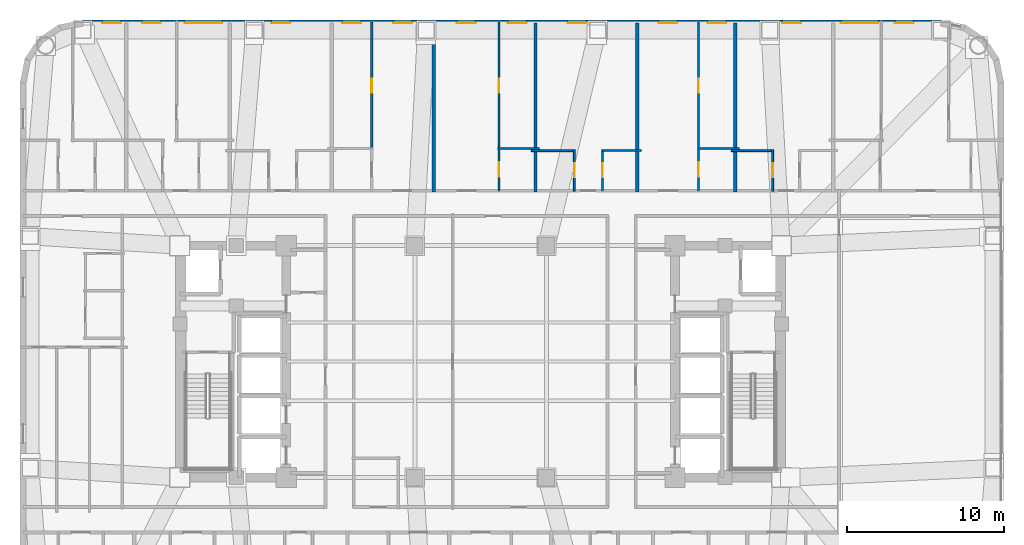
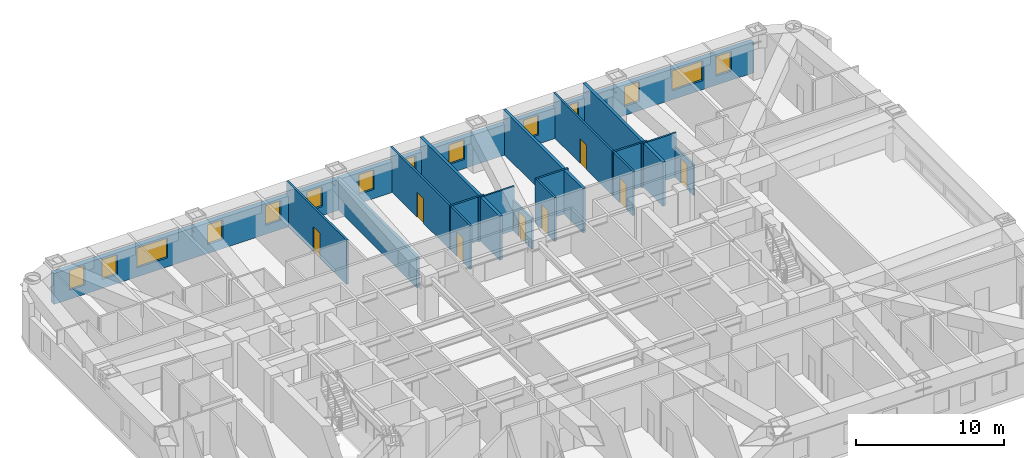
# One storey, part 13 of 16: 18 walls, 14 windows, 8 doors, 22 openings.
"""IFC4 building model written with IfcOpenShell, lengths in metres."""

from ifc_helpers import new_model, si_unit, direction, frame, frame_2d, origin, place, context, subcontext, project, spatial, rectangle, extrude, material, layer, layer_set, type_object, element, fill, save


model = new_model("IFC4")

# Units and contexts
model_context = context("Model", 3, precision=1e-05, world=origin(), true_north=direction((0.0, 1.0)))
body_context = subcontext(model_context, "Body", "Model", "MODEL_VIEW")
ifc_project = project(units=[si_unit("LENGTHUNIT", "METRE"), si_unit("AREAUNIT", "SQUARE_METRE"), si_unit("VOLUMEUNIT", "CUBIC_METRE"), si_unit("PLANEANGLEUNIT", "RADIAN"), si_unit("MASSUNIT", "GRAM", prefix="KILO")], contexts=[model_context])

# Site, building, storey
site_placement = place(None, origin())
site = spatial("IfcSite", under=ifc_project, at=site_placement, CompositionType="ELEMENT")
building_placement = place(site_placement, origin())
building = spatial("IfcBuilding", under=site, at=building_placement, Name="Voryun Gate Residences", CompositionType="ELEMENT")
storey_placement = place(building_placement, frame((0.0, 0.0, 89.699951171875)))
storey = spatial("IfcBuildingStorey", under=building, at=storey_placement, Name="L21", CompositionType="ELEMENT", Elevation=89.699951171875)

# Wall, openings, windows
ifc_material_1 = material(Name="Granite masonry", Category="masonry")
ifc_layer_1 = layer(ifc_material_1, 0.3798828125, Name="W_EXT_GRANITE_380")
ifc_layer_set_1 = layer_set([ifc_layer_1], Name="Granite masonry")
wall_type_1 = type_object("IfcWallType", Name="W_EXT_GRANITE_380", PredefinedType="ELEMENTEDWALL", material=ifc_layer_set_1)
wall_1_placement = place(storey_placement, frame((-25.38134765625, 21.610107421875, 0.0), z_axis=(0.0, 0.0, 1.0), x_axis=(1.0, 0.0, 0.0)))
wall_1 = element("IfcWall", 1, at=wall_1_placement, inside=storey, type_object=wall_type_1, Name="Exterior wall WEXT-L21-11", PredefinedType="ELEMENTEDWALL", context=body_context, shape_type="SweptSolid", body=[
    extrude(rectangle(XDim=54.7626953125, YDim=0.3798828125, at=frame_2d((27.38134765625, 0.0))), origin(), (0.0, 0.0, 1.0), 2.5400390625),
])
opening_1_placement = place(wall_1_placement, frame((6.495361328125, 0.0, 0.75)))
opening_1 = element("IfcOpeningElement", 2, at=opening_1_placement, cuts=wall_1, Name="Opening WN2", PredefinedType="OPENING", context=body_context, shape_type="SweptSolid", body=[
    extrude(rectangle(XDim=2.39990234375, YDim=1.6298828125, at=frame_2d((1.199951171875, 0.81494140625))), frame((0.0, 0.199951171875, 0.0), z_axis=(0.0, -1.0, 0.0), x_axis=(1.0, 0.0, 0.0)), (0.0, 0.0, 1.0), 0.39990234375),
])
opening_2_placement = place(wall_1_placement, frame((48.3671875, 0.0, 0.75)))
opening_2 = element("IfcOpeningElement", 3, at=opening_2_placement, cuts=wall_1, Name="Opening WN2", PredefinedType="OPENING", context=body_context, shape_type="SweptSolid", body=[
    extrude(rectangle(XDim=2.39990234375, YDim=1.6298828125, at=frame_2d((1.199951171875, 0.81494140625))), frame((0.0, 0.199951171875, 0.0), z_axis=(0.0, -1.0, 0.0), x_axis=(1.0, 0.0, 0.0)), (0.0, 0.0, 1.0), 0.39990234375),
])
opening_3_placement = place(wall_1_placement, frame((1.231201171875, 0.0, 0.75)))
opening_3 = element("IfcOpeningElement", 4, at=opening_3_placement, cuts=wall_1, Name="Opening WN6", PredefinedType="OPENING", context=body_context, shape_type="SweptSolid", body=[
    extrude(rectangle(XDim=1.199951171875, YDim=1.6298828125, at=frame_2d((0.60009765625, 0.81494140625))), frame((0.0, 0.199951171875, 0.0), z_axis=(0.0, -1.0, 0.0), x_axis=(1.0, 0.0, 0.0)), (0.0, 0.0, 1.0), 0.39990234375),
])
opening_4_placement = place(wall_1_placement, frame((3.771728515625, 0.0, 0.75)))
opening_4 = element("IfcOpeningElement", 5, at=opening_4_placement, cuts=wall_1, Name="Opening WN6", PredefinedType="OPENING", context=body_context, shape_type="SweptSolid", body=[
    extrude(rectangle(XDim=1.199951171875, YDim=1.6298828125, at=frame_2d((0.60009765625, 0.81494140625))), frame((0.0, 0.199951171875, 0.0), z_axis=(0.0, -1.0, 0.0), x_axis=(1.0, 0.0, 0.0)), (0.0, 0.0, 1.0), 0.39990234375),
])
opening_5_placement = place(wall_1_placement, frame((12.03125, 0.0, 0.75)))
opening_5 = element("IfcOpeningElement", 6, at=opening_5_placement, cuts=wall_1, Name="Opening WN6", PredefinedType="OPENING", context=body_context, shape_type="SweptSolid", body=[
    extrude(rectangle(XDim=1.199951171875, YDim=1.6298828125, at=frame_2d((0.60009765625, 0.81494140625))), frame((0.0, 0.199951171875, 0.0), z_axis=(0.0, -1.0, 0.0), x_axis=(1.0, 0.0, 0.0)), (0.0, 0.0, 1.0), 0.39990234375),
])
opening_6_placement = place(wall_1_placement, frame((19.805419921875, 0.0, 0.75)))
opening_6 = element("IfcOpeningElement", 7, at=opening_6_placement, cuts=wall_1, Name="Opening WN6", PredefinedType="OPENING", context=body_context, shape_type="SweptSolid", body=[
    extrude(rectangle(XDim=1.199951171875, YDim=1.6298828125, at=frame_2d((0.60009765625, 0.81494140625))), frame((0.0, 0.199951171875, 0.0), z_axis=(0.0, -1.0, 0.0), x_axis=(1.0, 0.0, 0.0)), (0.0, 0.0, 1.0), 0.39990234375),
])
opening_7_placement = place(wall_1_placement, frame((16.555419921875, 0.0, 0.75)))
opening_7 = element("IfcOpeningElement", 8, at=opening_7_placement, cuts=wall_1, Name="Opening WN6", PredefinedType="OPENING", context=body_context, shape_type="SweptSolid", body=[
    extrude(rectangle(XDim=1.199951171875, YDim=1.6298828125, at=frame_2d((0.60009765625, 0.81494140625))), frame((0.0, 0.199951171875, 0.0), z_axis=(0.0, -1.0, 0.0), x_axis=(1.0, 0.0, 0.0)), (0.0, 0.0, 1.0), 0.39990234375),
])
opening_8_placement = place(wall_1_placement, frame((23.86572265625, 0.0, 0.75)))
opening_8 = element("IfcOpeningElement", 9, at=opening_8_placement, cuts=wall_1, Name="Opening WN6", PredefinedType="OPENING", context=body_context, shape_type="SweptSolid", body=[
    extrude(rectangle(XDim=1.199951171875, YDim=1.6298828125, at=frame_2d((0.60009765625, 0.81494140625))), frame((0.0, 0.199951171875, 0.0), z_axis=(0.0, -1.0, 0.0), x_axis=(1.0, 0.0, 0.0)), (0.0, 0.0, 1.0), 0.39990234375),
])
opening_9_placement = place(wall_1_placement, frame((27.11572265625, 0.0, 0.75)))
opening_9 = element("IfcOpeningElement", 10, at=opening_9_placement, cuts=wall_1, Name="Opening WN6", PredefinedType="OPENING", context=body_context, shape_type="SweptSolid", body=[
    extrude(rectangle(XDim=1.199951171875, YDim=1.6298828125, at=frame_2d((0.60009765625, 0.81494140625))), frame((0.0, 0.199951171875, 0.0), z_axis=(0.0, -1.0, 0.0), x_axis=(1.0, 0.0, 0.0)), (0.0, 0.0, 1.0), 0.39990234375),
])
opening_10_placement = place(wall_1_placement, frame((30.931396484375, 0.0, 0.75)))
opening_10 = element("IfcOpeningElement", 11, at=opening_10_placement, cuts=wall_1, Name="Opening WN6", PredefinedType="OPENING", context=body_context, shape_type="SweptSolid", body=[
    extrude(rectangle(XDim=1.199951171875, YDim=1.6298828125, at=frame_2d((0.60009765625, 0.81494140625))), frame((0.0, 0.199951171875, 0.0), z_axis=(0.0, -1.0, 0.0), x_axis=(1.0, 0.0, 0.0)), (0.0, 0.0, 1.0), 0.39990234375),
])
opening_11_placement = place(wall_1_placement, frame((36.7333984375, 0.0, 0.75)))
opening_11 = element("IfcOpeningElement", 12, at=opening_11_placement, cuts=wall_1, Name="Opening WN6", PredefinedType="OPENING", context=body_context, shape_type="SweptSolid", body=[
    extrude(rectangle(XDim=1.199951171875, YDim=1.6298828125, at=frame_2d((0.60009765625, 0.81494140625))), frame((0.0, 0.199951171875, 0.0), z_axis=(0.0, -1.0, 0.0), x_axis=(1.0, 0.0, 0.0)), (0.0, 0.0, 1.0), 0.39990234375),
])
opening_12_placement = place(wall_1_placement, frame((39.8583984375, 0.0, 0.75)))
opening_12 = element("IfcOpeningElement", 13, at=opening_12_placement, cuts=wall_1, Name="Opening WN6", PredefinedType="OPENING", context=body_context, shape_type="SweptSolid", body=[
    extrude(rectangle(XDim=1.199951171875, YDim=1.6298828125, at=frame_2d((0.60009765625, 0.81494140625))), frame((0.0, 0.199951171875, 0.0), z_axis=(0.0, -1.0, 0.0), x_axis=(1.0, 0.0, 0.0)), (0.0, 0.0, 1.0), 0.39990234375),
])
opening_13_placement = place(wall_1_placement, frame((44.63623046875, 0.0, 0.75)))
opening_13 = element("IfcOpeningElement", 14, at=opening_13_placement, cuts=wall_1, Name="Opening WN6", PredefinedType="OPENING", context=body_context, shape_type="SweptSolid", body=[
    extrude(rectangle(XDim=1.199951171875, YDim=1.6298828125, at=frame_2d((0.60009765625, 0.81494140625))), frame((0.0, 0.199951171875, 0.0), z_axis=(0.0, -1.0, 0.0), x_axis=(1.0, 0.0, 0.0)), (0.0, 0.0, 1.0), 0.39990234375),
])
opening_14_placement = place(wall_1_placement, frame((51.809326171875, 0.0, 0.75)))
opening_14 = element("IfcOpeningElement", 15, at=opening_14_placement, cuts=wall_1, Name="Opening WN6", PredefinedType="OPENING", context=body_context, shape_type="SweptSolid", body=[
    extrude(rectangle(XDim=1.199951171875, YDim=1.6298828125, at=frame_2d((0.60009765625, 0.81494140625))), frame((0.0, 0.199951171875, 0.0), z_axis=(0.0, -1.0, 0.0), x_axis=(1.0, 0.0, 0.0)), (0.0, 0.0, 1.0), 0.39990234375),
])
ifc_material_2 = material(Name="Laminated low-E glass", Category="glass")
window_type_1 = type_object("IfcWindowType", Name="WN_POD_SLOT_1200", PartitioningType="SINGLE_PANEL", PredefinedType="WINDOW", material=ifc_material_2)
window_1_placement = place(opening_3_placement, origin())
window_1 = element("IfcWindow", 16, at=window_1_placement, inside=storey, type_object=window_type_1, Name="Window WN-L21-DWFIX-02", OverallHeight=1.6298828125, OverallWidth=1.199951171875, PartitioningType="SINGLE_PANEL", PredefinedType="WINDOW", context=body_context, shape_type="SweptSolid", body=[
    extrude(rectangle(XDim=1.199951171875, YDim=1.6298828125, at=frame_2d((0.60009765625, 0.81494140625))), frame((0.0, 0.030029296875, 0.0), z_axis=(0.0, -1.0, 0.0), x_axis=(1.0, 0.0, 0.0)), (0.0, 0.0, 1.0), 0.06005859375),
])
fill(opening_3, window_1)
window_2_placement = place(opening_4_placement, origin())
window_2 = element("IfcWindow", 17, at=window_2_placement, inside=storey, type_object=window_type_1, Name="Window WN-L21-DWFIX-03", OverallHeight=1.6298828125, OverallWidth=1.199951171875, PartitioningType="SINGLE_PANEL", PredefinedType="WINDOW", context=body_context, shape_type="SweptSolid", body=[
    extrude(rectangle(XDim=1.199951171875, YDim=1.6298828125, at=frame_2d((0.60009765625, 0.81494140625))), frame((0.0, 0.030029296875, 0.0), z_axis=(0.0, -1.0, 0.0), x_axis=(1.0, 0.0, 0.0)), (0.0, 0.0, 1.0), 0.06005859375),
])
fill(opening_4, window_2)
window_3_placement = place(opening_5_placement, origin())
window_3 = element("IfcWindow", 18, at=window_3_placement, inside=storey, type_object=window_type_1, Name="Window WN-L21-DWFIX-04", OverallHeight=1.6298828125, OverallWidth=1.199951171875, PartitioningType="SINGLE_PANEL", PredefinedType="WINDOW", context=body_context, shape_type="SweptSolid", body=[
    extrude(rectangle(XDim=1.199951171875, YDim=1.6298828125, at=frame_2d((0.60009765625, 0.81494140625))), frame((0.0, 0.030029296875, 0.0), z_axis=(0.0, -1.0, 0.0), x_axis=(1.0, 0.0, 0.0)), (0.0, 0.0, 1.0), 0.06005859375),
])
fill(opening_5, window_3)
window_4_placement = place(opening_6_placement, origin())
window_4 = element("IfcWindow", 19, at=window_4_placement, inside=storey, type_object=window_type_1, Name="Window WN-L21-DWFIX-05", OverallHeight=1.6298828125, OverallWidth=1.199951171875, PartitioningType="SINGLE_PANEL", PredefinedType="WINDOW", context=body_context, shape_type="SweptSolid", body=[
    extrude(rectangle(XDim=1.199951171875, YDim=1.6298828125, at=frame_2d((0.60009765625, 0.81494140625))), frame((0.0, 0.030029296875, 0.0), z_axis=(0.0, -1.0, 0.0), x_axis=(1.0, 0.0, 0.0)), (0.0, 0.0, 1.0), 0.06005859375),
])
fill(opening_6, window_4)
window_5_placement = place(opening_7_placement, origin())
window_5 = element("IfcWindow", 20, at=window_5_placement, inside=storey, type_object=window_type_1, Name="Window WN-L21-DWFIX-06", OverallHeight=1.6298828125, OverallWidth=1.199951171875, PartitioningType="SINGLE_PANEL", PredefinedType="WINDOW", context=body_context, shape_type="SweptSolid", body=[
    extrude(rectangle(XDim=1.199951171875, YDim=1.6298828125, at=frame_2d((0.60009765625, 0.81494140625))), frame((0.0, 0.030029296875, 0.0), z_axis=(0.0, -1.0, 0.0), x_axis=(1.0, 0.0, 0.0)), (0.0, 0.0, 1.0), 0.06005859375),
])
fill(opening_7, window_5)
window_6_placement = place(opening_8_placement, origin())
window_6 = element("IfcWindow", 21, at=window_6_placement, inside=storey, type_object=window_type_1, Name="Window WN-L21-DWFIX-07", OverallHeight=1.6298828125, OverallWidth=1.199951171875, PartitioningType="SINGLE_PANEL", PredefinedType="WINDOW", context=body_context, shape_type="SweptSolid", body=[
    extrude(rectangle(XDim=1.199951171875, YDim=1.6298828125, at=frame_2d((0.60009765625, 0.81494140625))), frame((0.0, 0.030029296875, 0.0), z_axis=(0.0, -1.0, 0.0), x_axis=(1.0, 0.0, 0.0)), (0.0, 0.0, 1.0), 0.06005859375),
])
fill(opening_8, window_6)
window_7_placement = place(opening_9_placement, origin())
window_7 = element("IfcWindow", 22, at=window_7_placement, inside=storey, type_object=window_type_1, Name="Window WN-L21-DWFIX-08", OverallHeight=1.6298828125, OverallWidth=1.199951171875, PartitioningType="SINGLE_PANEL", PredefinedType="WINDOW", context=body_context, shape_type="SweptSolid", body=[
    extrude(rectangle(XDim=1.199951171875, YDim=1.6298828125, at=frame_2d((0.60009765625, 0.81494140625))), frame((0.0, 0.030029296875, 0.0), z_axis=(0.0, -1.0, 0.0), x_axis=(1.0, 0.0, 0.0)), (0.0, 0.0, 1.0), 0.06005859375),
])
fill(opening_9, window_7)
window_8_placement = place(opening_10_placement, origin())
window_8 = element("IfcWindow", 23, at=window_8_placement, inside=storey, type_object=window_type_1, Name="Window WN-L21-DWFIX-09", OverallHeight=1.6298828125, OverallWidth=1.199951171875, PartitioningType="SINGLE_PANEL", PredefinedType="WINDOW", context=body_context, shape_type="SweptSolid", body=[
    extrude(rectangle(XDim=1.199951171875, YDim=1.6298828125, at=frame_2d((0.60009765625, 0.81494140625))), frame((0.0, 0.030029296875, 0.0), z_axis=(0.0, -1.0, 0.0), x_axis=(1.0, 0.0, 0.0)), (0.0, 0.0, 1.0), 0.06005859375),
])
fill(opening_10, window_8)
window_9_placement = place(opening_11_placement, origin())
window_9 = element("IfcWindow", 24, at=window_9_placement, inside=storey, type_object=window_type_1, Name="Window WN-L21-DWFIX-10", OverallHeight=1.6298828125, OverallWidth=1.199951171875, PartitioningType="SINGLE_PANEL", PredefinedType="WINDOW", context=body_context, shape_type="SweptSolid", body=[
    extrude(rectangle(XDim=1.199951171875, YDim=1.6298828125, at=frame_2d((0.60009765625, 0.81494140625))), frame((0.0, 0.030029296875, 0.0), z_axis=(0.0, -1.0, 0.0), x_axis=(1.0, 0.0, 0.0)), (0.0, 0.0, 1.0), 0.06005859375),
])
fill(opening_11, window_9)
window_10_placement = place(opening_12_placement, origin())
window_10 = element("IfcWindow", 25, at=window_10_placement, inside=storey, type_object=window_type_1, Name="Window WN-L21-DWFIX-11", OverallHeight=1.6298828125, OverallWidth=1.199951171875, PartitioningType="SINGLE_PANEL", PredefinedType="WINDOW", context=body_context, shape_type="SweptSolid", body=[
    extrude(rectangle(XDim=1.199951171875, YDim=1.6298828125, at=frame_2d((0.60009765625, 0.81494140625))), frame((0.0, 0.030029296875, 0.0), z_axis=(0.0, -1.0, 0.0), x_axis=(1.0, 0.0, 0.0)), (0.0, 0.0, 1.0), 0.06005859375),
])
fill(opening_12, window_10)
window_11_placement = place(opening_13_placement, origin())
window_11 = element("IfcWindow", 26, at=window_11_placement, inside=storey, type_object=window_type_1, Name="Window WN-L21-DWFIX-12", OverallHeight=1.6298828125, OverallWidth=1.199951171875, PartitioningType="SINGLE_PANEL", PredefinedType="WINDOW", context=body_context, shape_type="SweptSolid", body=[
    extrude(rectangle(XDim=1.199951171875, YDim=1.6298828125, at=frame_2d((0.60009765625, 0.81494140625))), frame((0.0, 0.030029296875, 0.0), z_axis=(0.0, -1.0, 0.0), x_axis=(1.0, 0.0, 0.0)), (0.0, 0.0, 1.0), 0.06005859375),
])
fill(opening_13, window_11)
window_12_placement = place(opening_14_placement, origin())
window_12 = element("IfcWindow", 27, at=window_12_placement, inside=storey, type_object=window_type_1, Name="Window WN-L21-DWFIX-13", OverallHeight=1.6298828125, OverallWidth=1.199951171875, PartitioningType="SINGLE_PANEL", PredefinedType="WINDOW", context=body_context, shape_type="SweptSolid", body=[
    extrude(rectangle(XDim=1.199951171875, YDim=1.6298828125, at=frame_2d((0.60009765625, 0.81494140625))), frame((0.0, 0.030029296875, 0.0), z_axis=(0.0, -1.0, 0.0), x_axis=(1.0, 0.0, 0.0)), (0.0, 0.0, 1.0), 0.06005859375),
])
fill(opening_14, window_12)
ifc_material_3 = material(Name="Laminated low-E glass", Category="glass")
window_type_2 = type_object("IfcWindowType", Name="WN_RES_WIDE_2400", PartitioningType="SINGLE_PANEL", PredefinedType="WINDOW", material=ifc_material_3)
window_13_placement = place(opening_1_placement, origin())
window_13 = element("IfcWindow", 28, at=window_13_placement, inside=storey, type_object=window_type_2, Name="Window WN-WEXT-L21-11-01", OverallHeight=1.6298828125, OverallWidth=2.39990234375, PartitioningType="SINGLE_PANEL", PredefinedType="WINDOW", context=body_context, shape_type="SweptSolid", body=[
    extrude(rectangle(XDim=2.39990234375, YDim=1.6298828125, at=frame_2d((1.199951171875, 0.81494140625))), frame((0.0, 0.030029296875, 0.0), z_axis=(0.0, -1.0, 0.0), x_axis=(1.0, 0.0, 0.0)), (0.0, 0.0, 1.0), 0.06005859375),
])
fill(opening_1, window_13)
window_14_placement = place(opening_2_placement, origin())
window_14 = element("IfcWindow", 29, at=window_14_placement, inside=storey, type_object=window_type_2, Name="Window WN-WEXT-L21-11-04", OverallHeight=1.6298828125, OverallWidth=2.39990234375, PartitioningType="SINGLE_PANEL", PredefinedType="WINDOW", context=body_context, shape_type="SweptSolid", body=[
    extrude(rectangle(XDim=2.39990234375, YDim=1.6298828125, at=frame_2d((1.199951171875, 0.81494140625))), frame((0.0, 0.030029296875, 0.0), z_axis=(0.0, -1.0, 0.0), x_axis=(1.0, 0.0, 0.0)), (0.0, 0.0, 1.0), 0.06005859375),
])
fill(opening_2, window_14)

# Walls
ifc_material_4 = material(Name="Concrete C40/50", Category="concrete")
ifc_layer_2 = layer(ifc_material_4, 0.219970703125, Name="W_PARTY_ACOUSTIC_220")
ifc_layer_set_2 = layer_set([ifc_layer_2], Name="Concrete C40/50")
wall_type_2 = type_object("IfcWallType", Name="W_PARTY_ACOUSTIC_220", PredefinedType="PARTITIONING", material=ifc_layer_set_2)
wall_2_placement = place(storey_placement, frame((-3.0, 10.820068359375, 0.0), z_axis=(0.0, 0.0, 1.0), x_axis=(0.0, 1.0, 0.0)))
element("IfcWall", 30, at=wall_2_placement, inside=storey, type_object=wall_type_2, Name="Partition wall WP-L21-NPTY-4", PredefinedType="PARTITIONING", context=body_context, shape_type="SweptSolid", body=[
    extrude(rectangle(XDim=10.7900390625, YDim=0.219970703125, at=frame_2d((5.39501953125, 0.0))), origin(), (0.0, 0.0, 1.0), 2.5400390625),
])
for number, where, z_axis, x_axis, name in (
    (31, (3.5, 10.820068359375, 0.0), (0.0, 0.0, 1.0), (0.0, 1.0, 0.0), "Partition wall WP-L21-NPTY-5"),
    (32, (10.0, 10.820068359375, 0.0), (0.0, 0.0, 1.0), (0.0, 1.0, 0.0), "Partition wall WP-L21-NPTY-6"),
    (33, (16.25, 10.820068359375, 0.0), (0.0, 0.0, 1.0), (0.0, 1.0, 0.0), "Partition wall WP-L21-NPTY-7"),
):
    element("IfcWall", number, at=place(storey_placement, frame(where, z_axis=z_axis, x_axis=x_axis)), inside=storey, type_object=wall_type_2, Name=name, PredefinedType="PARTITIONING", context=body_context, shape_type="SweptSolid", body=[
        extrude(rectangle(XDim=10.7900390625, YDim=0.219970703125, at=frame_2d((5.39501953125, 0.0))), origin(), (0.0, 0.0, 1.0), 3.650146484375),
    ])

# Wall, opening, door
ifc_material_5 = material(Name="Gypsum acoustic partition")
ifc_layer_3 = layer(ifc_material_5, 0.125, Name="W_UNIT_PART_125")
ifc_layer_set_3 = layer_set([ifc_layer_3], Name="Gypsum acoustic partition")
wall_type_3 = type_object("IfcWallType", Name="W_UNIT_PART_125", PredefinedType="PARTITIONING", material=ifc_layer_set_3)
wall_3_placement = place(storey_placement, frame((5.98388671875, 10.8798828125, 0.0), z_axis=(0.0, 0.0, 1.0), x_axis=(0.0, 1.0, 0.0)))
wall_3 = element("IfcWall", 34, at=wall_3_placement, inside=storey, type_object=wall_type_3, Name="Partition wall WP-L21-N6-CVK", PredefinedType="PARTITIONING", context=body_context, shape_type="SweptSolid", body=[
    extrude(rectangle(XDim=2.650146484375, YDim=0.125, at=frame_2d((1.3251953125, 0.0))), origin(), (0.0, 0.0, 1.0), 2.5400390625),
])
opening_15_placement = place(wall_3_placement, frame((0.875, 0.0, 0.0)))
opening_15 = element("IfcOpeningElement", 35, at=opening_15_placement, cuts=wall_3, Name="Opening D-INT-2", PredefinedType="OPENING", context=body_context, shape_type="SweptSolid", body=[
    extrude(rectangle(XDim=0.89990234375, YDim=2.050048828125, at=frame_2d((0.449951171875, 1.02490234375))), frame((0.0, 0.072509765625, 0.0), z_axis=(0.0, -1.0, 0.0), x_axis=(1.0, 0.0, 0.0)), (0.0, 0.0, 1.0), 0.14501953125),
])
ifc_material_6 = material(Name="Architectural oak veneer")
door_type = type_object("IfcDoorType", Name="DR_INT_BATH_900", OperationType="NOTDEFINED", PredefinedType="DOOR", material=ifc_material_6)
door_1_placement = place(opening_15_placement, origin())
door_1 = element("IfcDoor", 36, at=door_1_placement, inside=storey, type_object=door_type, Name="Door DR-L21-N6-DK", OperationType="SINGLE_SWING_LEFT", OverallHeight=2.050048828125, OverallWidth=0.89990234375, PredefinedType="DOOR", context=body_context, shape_type="SweptSolid", body=[
    extrude(rectangle(XDim=0.89990234375, YDim=2.050048828125, at=frame_2d((0.449951171875, 1.02490234375))), frame((0.0, 0.02490234375, 0.0), z_axis=(0.0, -1.0, 0.0), x_axis=(1.0, 0.0, 0.0)), (0.0, 0.0, 1.0), 0.050048828125),
])
fill(opening_15, door_1)

# Wall
wall_4_placement = place(storey_placement, frame((3.239990234375, 13.469970703125, 0.0), z_axis=(0.0, 0.0, 1.0), x_axis=(1.0, 0.0, 0.0)))
element("IfcWall", 37, at=wall_4_placement, inside=storey, type_object=wall_type_3, Name="Partition wall WP-L21-N6-CHK", PredefinedType="PARTITIONING", context=body_context, shape_type="SweptSolid", body=[
    extrude(rectangle(XDim=2.803955078125, YDim=0.125, at=frame_2d((1.40185546875, 0.0))), origin(), (0.0, 0.0, 1.0), 3.650146484375),
])

# Wall, opening, door
wall_5_placement = place(storey_placement, frame((18.638916015625, 10.8798828125, 0.0), z_axis=(0.0, 0.0, 1.0), x_axis=(0.0, 1.0, 0.0)))
wall_5 = element("IfcWall", 38, at=wall_5_placement, inside=storey, type_object=wall_type_3, Name="Partition wall WP-L21-N8-CVK", PredefinedType="PARTITIONING", context=body_context, shape_type="SweptSolid", body=[
    extrude(rectangle(XDim=2.650146484375, YDim=0.125, at=frame_2d((1.3251953125, 0.0))), origin(), (0.0, 0.0, 1.0), 2.5400390625),
])
opening_16_placement = place(wall_5_placement, frame((0.875, 0.0, 0.0)))
opening_16 = element("IfcOpeningElement", 39, at=opening_16_placement, cuts=wall_5, Name="Opening D-INT-2", PredefinedType="OPENING", context=body_context, shape_type="SweptSolid", body=[
    extrude(rectangle(XDim=0.89990234375, YDim=2.050048828125, at=frame_2d((0.449951171875, 1.02490234375))), frame((0.0, 0.072509765625, 0.0), z_axis=(0.0, -1.0, 0.0), x_axis=(1.0, 0.0, 0.0)), (0.0, 0.0, 1.0), 0.14501953125),
])
door_2_placement = place(opening_16_placement, origin())
door_2 = element("IfcDoor", 40, at=door_2_placement, inside=storey, type_object=door_type, Name="Door DR-L21-N8-DK", OperationType="SINGLE_SWING_LEFT", OverallHeight=2.050048828125, OverallWidth=0.89990234375, PredefinedType="DOOR", context=body_context, shape_type="SweptSolid", body=[
    extrude(rectangle(XDim=0.89990234375, YDim=2.050048828125, at=frame_2d((0.449951171875, 1.02490234375))), frame((0.0, 0.02490234375, 0.0), z_axis=(0.0, -1.0, 0.0), x_axis=(1.0, 0.0, 0.0)), (0.0, 0.0, 1.0), 0.050048828125),
])
fill(opening_16, door_2)

# Wall
wall_6_placement = place(storey_placement, frame((15.989990234375, 13.469970703125, 0.0), z_axis=(0.0, 0.0, 1.0), x_axis=(1.0, 0.0, 0.0)))
element("IfcWall", 41, at=wall_6_placement, inside=storey, type_object=wall_type_3, Name="Partition wall WP-L21-N8-CHK", PredefinedType="PARTITIONING", context=body_context, shape_type="SweptSolid", body=[
    extrude(rectangle(XDim=2.708984375, YDim=0.125, at=frame_2d((1.3544921875, 0.0))), origin(), (0.0, 0.0, 1.0), 3.650146484375),
])

# Wall, opening, door
ifc_material_7 = material(Name="Gypsum moisture-resistant partition")
ifc_layer_4 = layer(ifc_material_7, 0.14990234375, Name="W_WET_PLUMB_150")
ifc_layer_set_4 = layer_set([ifc_layer_4], Name="Gypsum moisture-resistant partition")
wall_type_4 = type_object("IfcWallType", Name="W_WET_PLUMB_150", PredefinedType="PLUMBINGWALL", material=ifc_layer_set_4)
wall_7_placement = place(storey_placement, frame((-6.951904296875, 13.56005859375, 0.0), z_axis=(0.0, 0.0, 1.0), x_axis=(0.0, 1.0, 0.0)))
wall_7 = element("IfcWall", 42, at=wall_7_placement, inside=storey, type_object=wall_type_4, Name="Partition wall WP-L21-N4-SVT2", PredefinedType="PLUMBINGWALL", context=body_context, shape_type="SweptSolid", body=[
    extrude(rectangle(XDim=8.09765625, YDim=0.14990234375, at=frame_2d((4.048828125, 0.0))), origin(), (0.0, 0.0, 1.0), 3.650146484375),
])
opening_17_placement = place(wall_7_placement, frame((3.598876953125, 0.0, 0.0)))
opening_17 = element("IfcOpeningElement", 43, at=opening_17_placement, cuts=wall_7, Name="Opening D-INT-2", PredefinedType="OPENING", context=body_context, shape_type="SweptSolid", body=[
    extrude(rectangle(XDim=0.89990234375, YDim=2.050048828125, at=frame_2d((0.449951171875, 1.02490234375))), frame((0.0, 0.0849609375, 0.0), z_axis=(0.0, -1.0, 0.0), x_axis=(1.0, 0.0, 0.0)), (0.0, 0.0, 1.0), 0.169921875),
])
door_3_placement = place(opening_17_placement, origin())
door_3 = element("IfcDoor", 44, at=door_3_placement, inside=storey, type_object=door_type, Name="Door DR-L21-N4-DK", OperationType="SINGLE_SWING_RIGHT", OverallHeight=2.050048828125, OverallWidth=0.89990234375, PredefinedType="DOOR", context=body_context, shape_type="SweptSolid", body=[
    extrude(rectangle(XDim=0.89990234375, YDim=2.050048828125, at=frame_2d((0.449951171875, 1.02490234375))), frame((0.0, 0.02490234375, 0.0), z_axis=(0.0, -1.0, 0.0), x_axis=(1.0, 0.0, 0.0)), (0.0, 0.0, 1.0), 0.050048828125),
])
fill(opening_17, door_3)

# Wall
wall_8_placement = place(storey_placement, frame((1.089111328125, 13.60009765625, 0.0), z_axis=(0.0, 0.0, 1.0), x_axis=(1.0, 0.0, 0.0)))
element("IfcWall", 45, at=wall_8_placement, inside=storey, type_object=wall_type_4, Name="Partition wall WP-L21-N5-SKB", PredefinedType="PLUMBINGWALL", context=body_context, shape_type="SweptSolid", body=[
    extrude(rectangle(XDim=2.6708984375, YDim=0.14990234375, at=frame_2d((1.33544921875, 0.0))), origin(), (0.0, 0.0, 1.0), 3.650146484375),
])

# Wall, opening, door
wall_9_placement = place(storey_placement, frame((1.1689453125, 10.8798828125, 0.0), z_axis=(0.0, 0.0, 1.0), x_axis=(0.0, 1.0, 0.0)))
wall_9 = element("IfcWall", 46, at=wall_9_placement, inside=storey, type_object=wall_type_4, Name="Partition wall WP-L21-N5-SVT1", PredefinedType="PLUMBINGWALL", context=body_context, shape_type="SweptSolid", body=[
    extrude(rectangle(XDim=2.760009765625, YDim=0.14990234375, at=frame_2d((1.3798828125, 0.0))), origin(), (0.0, 0.0, 1.0), 3.650146484375),
])
opening_18_placement = place(wall_9_placement, frame((0.929931640625, 0.0, 0.0)))
opening_18 = element("IfcOpeningElement", 47, at=opening_18_placement, cuts=wall_9, Name="Opening D-INT-2", PredefinedType="OPENING", context=body_context, shape_type="SweptSolid", body=[
    extrude(rectangle(XDim=0.89990234375, YDim=2.050048828125, at=frame_2d((0.449951171875, 1.02490234375))), frame((0.0, 0.0849609375, 0.0), z_axis=(0.0, -1.0, 0.0), x_axis=(1.0, 0.0, 0.0)), (0.0, 0.0, 1.0), 0.169921875),
])
door_4_placement = place(opening_18_placement, origin())
door_4 = element("IfcDoor", 48, at=door_4_placement, inside=storey, type_object=door_type, Name="Door DR-L21-N5-DB", OperationType="SINGLE_SWING_LEFT", OverallHeight=2.050048828125, OverallWidth=0.89990234375, PredefinedType="DOOR", context=body_context, shape_type="SweptSolid", body=[
    extrude(rectangle(XDim=0.89990234375, YDim=2.050048828125, at=frame_2d((0.449951171875, 1.02490234375))), frame((0.0, 0.02490234375, 0.0), z_axis=(0.0, -1.0, 0.0), x_axis=(1.0, 0.0, 0.0)), (0.0, 0.0, 1.0), 0.050048828125),
])
fill(opening_18, door_4)

wall_10_placement = place(storey_placement, frame((1.1689453125, 13.56005859375, 0.0), z_axis=(0.0, 0.0, 1.0), x_axis=(0.0, 1.0, 0.0)))
wall_10 = element("IfcWall", 49, at=wall_10_placement, inside=storey, type_object=wall_type_4, Name="Partition wall WP-L21-N5-SVT2", PredefinedType="PLUMBINGWALL", context=body_context, shape_type="SweptSolid", body=[
    extrude(rectangle(XDim=8.09765625, YDim=0.14990234375, at=frame_2d((4.048828125, 0.0))), origin(), (0.0, 0.0, 1.0), 3.650146484375),
])
opening_19_placement = place(wall_10_placement, frame((3.598876953125, 0.0, 0.0)))
opening_19 = element("IfcOpeningElement", 50, at=opening_19_placement, cuts=wall_10, Name="Opening D-INT-2", PredefinedType="OPENING", context=body_context, shape_type="SweptSolid", body=[
    extrude(rectangle(XDim=0.89990234375, YDim=2.050048828125, at=frame_2d((0.449951171875, 1.02490234375))), frame((0.0, 0.0849609375, 0.0), z_axis=(0.0, -1.0, 0.0), x_axis=(1.0, 0.0, 0.0)), (0.0, 0.0, 1.0), 0.169921875),
])
door_5_placement = place(opening_19_placement, origin())
door_5 = element("IfcDoor", 51, at=door_5_placement, inside=storey, type_object=door_type, Name="Door DR-L21-N5-DK", OperationType="SINGLE_SWING_RIGHT", OverallHeight=2.050048828125, OverallWidth=0.89990234375, PredefinedType="DOOR", context=body_context, shape_type="SweptSolid", body=[
    extrude(rectangle(XDim=0.89990234375, YDim=2.050048828125, at=frame_2d((0.449951171875, 1.02490234375))), frame((0.0, 0.02490234375, 0.0), z_axis=(0.0, -1.0, 0.0), x_axis=(1.0, 0.0, 0.0)), (0.0, 0.0, 1.0), 0.050048828125),
])
fill(opening_19, door_5)

wall_11_placement = place(storey_placement, frame((7.77099609375, 10.8798828125, 0.0), z_axis=(0.0, 0.0, 1.0), x_axis=(0.0, 1.0, 0.0)))
wall_11 = element("IfcWall", 52, at=wall_11_placement, inside=storey, type_object=wall_type_4, Name="Partition wall WP-L21-N6-CVB", PredefinedType="PLUMBINGWALL", context=body_context, shape_type="SweptSolid", body=[
    extrude(rectangle(XDim=2.650146484375, YDim=0.14990234375, at=frame_2d((1.3251953125, 0.0))), origin(), (0.0, 0.0, 1.0), 3.650146484375),
])
opening_20_placement = place(wall_11_placement, frame((0.875, 0.0, 0.0)))
opening_20 = element("IfcOpeningElement", 53, at=opening_20_placement, cuts=wall_11, Name="Opening D-INT-2", PredefinedType="OPENING", context=body_context, shape_type="SweptSolid", body=[
    extrude(rectangle(XDim=0.89990234375, YDim=2.050048828125, at=frame_2d((0.449951171875, 1.02490234375))), frame((0.0, 0.0849609375, 0.0), z_axis=(0.0, -1.0, 0.0), x_axis=(1.0, 0.0, 0.0)), (0.0, 0.0, 1.0), 0.169921875),
])
door_6_placement = place(opening_20_placement, origin())
door_6 = element("IfcDoor", 54, at=door_6_placement, inside=storey, type_object=door_type, Name="Door DR-L21-N6-DB", OperationType="SINGLE_SWING_RIGHT", OverallHeight=2.050048828125, OverallWidth=0.89990234375, PredefinedType="DOOR", context=body_context, shape_type="SweptSolid", body=[
    extrude(rectangle(XDim=0.89990234375, YDim=2.050048828125, at=frame_2d((0.449951171875, 1.02490234375))), frame((0.0, 0.02490234375, 0.0), z_axis=(0.0, -1.0, 0.0), x_axis=(1.0, 0.0, 0.0)), (0.0, 0.0, 1.0), 0.050048828125),
])
fill(opening_20, door_6)

# Walls
wall_12_placement = place(storey_placement, frame((7.7109375, 13.469970703125, 0.0), z_axis=(0.0, 0.0, 1.0), x_axis=(1.0, 0.0, 0.0)))
element("IfcWall", 55, at=wall_12_placement, inside=storey, type_object=wall_type_4, Name="Partition wall WP-L21-N6-CHB", PredefinedType="PLUMBINGWALL", context=body_context, shape_type="SweptSolid", body=[
    extrude(rectangle(XDim=2.549072265625, YDim=0.14990234375, at=frame_2d((1.2744140625, 0.0))), origin(), (0.0, 0.0, 1.0), 3.650146484375),
])
wall_13_placement = place(storey_placement, frame((13.823974609375, 13.60009765625, 0.0), z_axis=(0.0, 0.0, 1.0), x_axis=(1.0, 0.0, 0.0)))
element("IfcWall", 56, at=wall_13_placement, inside=storey, type_object=wall_type_4, Name="Partition wall WP-L21-N7-SKB", PredefinedType="PLUMBINGWALL", context=body_context, shape_type="SweptSolid", body=[
    extrude(rectangle(XDim=2.68603515625, YDim=0.14990234375, at=frame_2d((1.343017578125, 0.0))), origin(), (0.0, 0.0, 1.0), 3.650146484375),
])

# Wall, opening, door
wall_14_placement = place(storey_placement, frame((13.904052734375, 10.8798828125, 0.0), z_axis=(0.0, 0.0, 1.0), x_axis=(0.0, 1.0, 0.0)))
wall_14 = element("IfcWall", 57, at=wall_14_placement, inside=storey, type_object=wall_type_4, Name="Partition wall WP-L21-N7-SVT1", PredefinedType="PLUMBINGWALL", context=body_context, shape_type="SweptSolid", body=[
    extrude(rectangle(XDim=2.760009765625, YDim=0.14990234375, at=frame_2d((1.3798828125, 0.0))), origin(), (0.0, 0.0, 1.0), 3.650146484375),
])
opening_21_placement = place(wall_14_placement, frame((0.929931640625, 0.0, 0.0)))
opening_21 = element("IfcOpeningElement", 58, at=opening_21_placement, cuts=wall_14, Name="Opening D-INT-2", PredefinedType="OPENING", context=body_context, shape_type="SweptSolid", body=[
    extrude(rectangle(XDim=0.89990234375, YDim=2.050048828125, at=frame_2d((0.449951171875, 1.02490234375))), frame((0.0, 0.0849609375, 0.0), z_axis=(0.0, -1.0, 0.0), x_axis=(1.0, 0.0, 0.0)), (0.0, 0.0, 1.0), 0.169921875),
])
door_7_placement = place(opening_21_placement, origin())
door_7 = element("IfcDoor", 59, at=door_7_placement, inside=storey, type_object=door_type, Name="Door DR-L21-N7-DB", OperationType="SINGLE_SWING_LEFT", OverallHeight=2.050048828125, OverallWidth=0.89990234375, PredefinedType="DOOR", context=body_context, shape_type="SweptSolid", body=[
    extrude(rectangle(XDim=0.89990234375, YDim=2.050048828125, at=frame_2d((0.449951171875, 1.02490234375))), frame((0.0, 0.02490234375, 0.0), z_axis=(0.0, -1.0, 0.0), x_axis=(1.0, 0.0, 0.0)), (0.0, 0.0, 1.0), 0.050048828125),
])
fill(opening_21, door_7)

wall_15_placement = place(storey_placement, frame((13.904052734375, 13.56005859375, 0.0), z_axis=(0.0, 0.0, 1.0), x_axis=(0.0, 1.0, 0.0)))
wall_15 = element("IfcWall", 60, at=wall_15_placement, inside=storey, type_object=wall_type_4, Name="Partition wall WP-L21-N7-SVT2", PredefinedType="PLUMBINGWALL", context=body_context, shape_type="SweptSolid", body=[
    extrude(rectangle(XDim=8.09765625, YDim=0.14990234375, at=frame_2d((4.048828125, 0.0))), origin(), (0.0, 0.0, 1.0), 3.650146484375),
])
opening_22_placement = place(wall_15_placement, frame((3.598876953125, 0.0, 0.0)))
opening_22 = element("IfcOpeningElement", 61, at=opening_22_placement, cuts=wall_15, Name="Opening D-INT-2", PredefinedType="OPENING", context=body_context, shape_type="SweptSolid", body=[
    extrude(rectangle(XDim=0.89990234375, YDim=2.050048828125, at=frame_2d((0.449951171875, 1.02490234375))), frame((0.0, 0.0849609375, 0.0), z_axis=(0.0, -1.0, 0.0), x_axis=(1.0, 0.0, 0.0)), (0.0, 0.0, 1.0), 0.169921875),
])
door_8_placement = place(opening_22_placement, origin())
door_8 = element("IfcDoor", 62, at=door_8_placement, inside=storey, type_object=door_type, Name="Door DR-L21-N7-DK", OperationType="SINGLE_SWING_RIGHT", OverallHeight=2.050048828125, OverallWidth=0.89990234375, PredefinedType="DOOR", context=body_context, shape_type="SweptSolid", body=[
    extrude(rectangle(XDim=0.89990234375, YDim=2.050048828125, at=frame_2d((0.449951171875, 1.02490234375))), frame((0.0, 0.02490234375, 0.0), z_axis=(0.0, -1.0, 0.0), x_axis=(1.0, 0.0, 0.0)), (0.0, 0.0, 1.0), 0.050048828125),
])
fill(opening_22, door_8)

save(model, "model.ifc")
